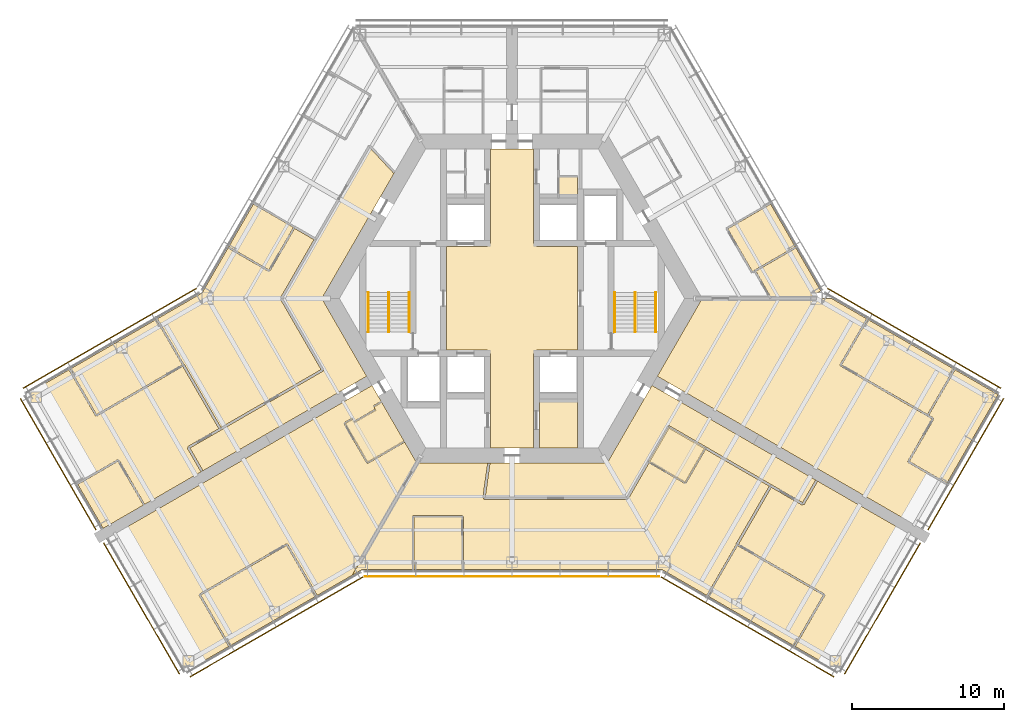
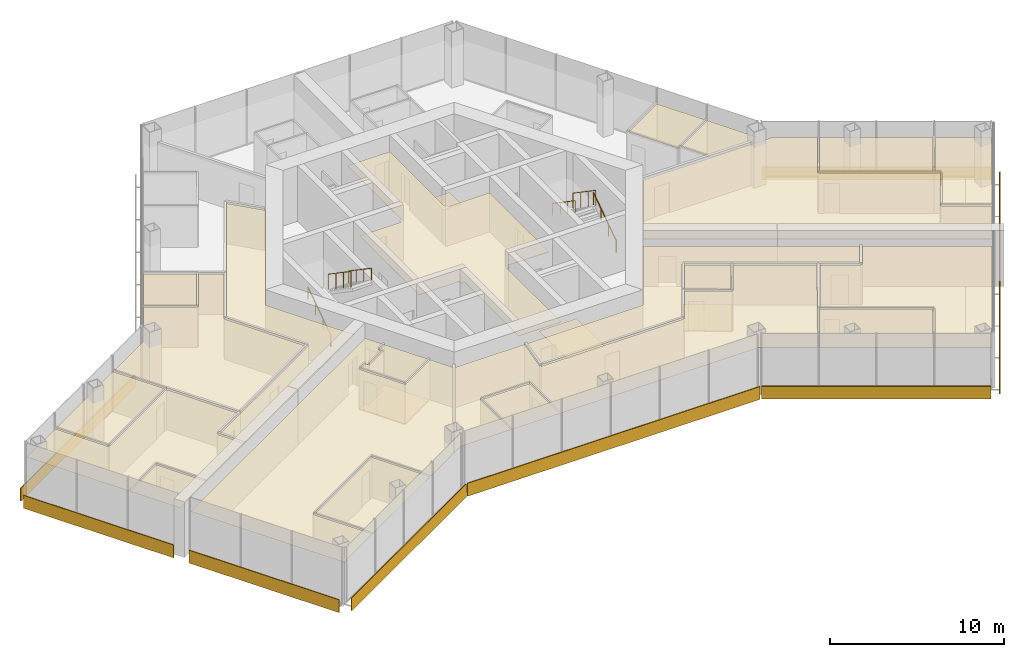
# One storey, part 17 of 18: 25 coverings, 9 shading devices, 6 railings.
"""IFC4 building model written with IfcOpenShell, lengths in metres."""

from ifc_helpers import new_model, si_unit, direction, frame, origin, origin_2d, place, context, subcontext, project, spatial, polyline, rectangle, circle, outline, extrude, material, layer, layer_set, type_object, element, save


model = new_model("IFC4")

# Units and contexts
model_context = context("Model", 3, precision=1e-05, world=origin(), true_north=direction((0.0, 1.0)))
body_context = subcontext(model_context, "Body", "Model", "MODEL_VIEW")
ifc_project = project(units=[si_unit("LENGTHUNIT", "METRE"), si_unit("AREAUNIT", "SQUARE_METRE"), si_unit("VOLUMEUNIT", "CUBIC_METRE"), si_unit("PLANEANGLEUNIT", "RADIAN"), si_unit("MASSUNIT", "GRAM", prefix="KILO")], contexts=[model_context])

# Site, building, storey
site_placement = place(None, origin())
site = spatial("IfcSite", under=ifc_project, at=site_placement, CompositionType="ELEMENT")
building_placement = place(site_placement, origin())
building = spatial("IfcBuilding", under=site, at=building_placement, Name="Kasaneha Research Tower", CompositionType="ELEMENT")
storey_placement = place(building_placement, frame((0.0, 0.0, 140.89990234375)))
storey = spatial("IfcBuildingStorey", under=building, at=storey_placement, Name="L35", CompositionType="ELEMENT", Elevation=140.89990234375)

# Covering
ifc_material_1 = material(Name="Aluminium panel ceiling", Category="aluminium")
ifc_layer_1 = layer(ifc_material_1, 0.0400390625)
ifc_layer_set_1 = layer_set([ifc_layer_1], Name="Lift lobby ceiling 40")
covering_type_1 = type_object("IfcCoveringType", Name="Lift lobby ceiling 40", PredefinedType="CEILING", material=ifc_layer_set_1)
covering_1_placement = place(storey_placement, frame((0.0, 0.0, 2.7001953125)))
element("IfcCovering", 1, at=covering_1_placement, inside=storey, type_object=covering_type_1, Name="Ceiling L35-01", PredefinedType="CEILING", context=body_context, shape_type="SweptSolid", body=[
    extrude(outline(polyline([(1.39990234375, 9.824951171875), (1.39990234375, 3.60009765625), (1.60009765625, 3.60009765625), (1.60009765625, 3.39990234375), (4.300048828125, 3.39990234375), (4.300048828125, -3.39990234375), (1.60009765625, -3.39990234375), (1.60009765625, -3.60009765625), (1.39990234375, -3.60009765625), (1.39990234375, -9.824951171875), (-1.39990234375, -9.824951171875), (-1.39990234375, -3.60009765625), (-1.60009765625, -3.60009765625), (-1.60009765625, -3.39990234375), (-4.300048828125, -3.39990234375), (-4.300048828125, 3.39990234375), (-1.60009765625, 3.39990234375), (-1.60009765625, 3.60009765625), (-1.39990234375, 3.60009765625), (-1.39990234375, 9.824951171875), (1.39990234375, 9.824951171875)])), origin(), (0.0, 0.0, 1.0), 0.039794921875),
])

# Railings
ifc_material_2 = material(Name="Steel", Category="steel")
railing_type_1 = type_object("IfcRailingType", Name="Stair balustrade 1100", PredefinedType="GUARDRAIL", material=ifc_material_2)
for number, where, name in (
    (2, (8.10009765625, 0.39990234375, 2.12744140625), "Stair 1 balustrade L35"),
    (3, (-8.10009765625, 0.39990234375, 2.12744140625), "Stair 2 balustrade L35"),
):
    element("IfcRailing", number, at=place(storey_placement, frame(where)), inside=storey, type_object=railing_type_1, Name=name, PredefinedType="GUARDRAIL", context=body_context, shape_type="SweptSolid", body=[
        extrude(circle(Radius=0.02392578125, at=origin_2d()), frame((0.0, 0.0, 1.076171875), z_axis=(0.0, -0.826215852431, 0.563353676824), x_axis=(1.0, 0.0, 0.0)), (0.0, 0.0, 1.0), 3.146728515625),
        extrude(circle(Radius=0.02099609375, at=origin_2d()), origin(), (0.0, 0.0, 1.0), 1.052001953125),
        extrude(circle(Radius=0.02099609375, at=origin_2d()), frame((0.0, -0.86669921875, 0.5908203125)), (0.0, 0.0, 1.0), 1.052001953125),
        extrude(circle(Radius=0.02099609375, at=origin_2d()), frame((0.0, -1.733154296875, 1.181884765625)), (0.0, 0.0, 1.0), 1.052001953125),
        extrude(circle(Radius=0.02099609375, at=origin_2d()), frame((0.0, -2.599853515625, 1.772705078125)), (0.0, 0.0, 1.0), 1.052001953125),
    ])
ifc_material_3 = material(Name="Steel", Category="steel")
railing_type_2 = type_object("IfcRailingType", Name="Stair handrail 850", PredefinedType="HANDRAIL", material=ifc_material_3)
railing_1_placement = place(storey_placement, frame((9.449951171875, -2.199951171875, 0.177490234375)))
element("IfcRailing", 4, at=railing_1_placement, inside=storey, type_object=railing_type_2, Name="Stair 1 handrail L35", PredefinedType="HANDRAIL", context=body_context, shape_type="SweptSolid", body=[
    extrude(circle(Radius=0.02392578125, at=origin_2d()), frame((0.0, 0.0, 0.826171875), z_axis=(0.0, 0.826215852431, 0.563353676824), x_axis=(-1.0, 0.0, 0.0)), (0.0, 0.0, 1.0), 3.146728515625),
    extrude(circle(Radius=0.02099609375, at=origin_2d()), origin(), (0.0, 0.0, 1.0), 0.802001953125),
    extrude(circle(Radius=0.02099609375, at=origin_2d()), frame((0.0, 0.86669921875, 0.5908203125)), (0.0, 0.0, 1.0), 0.802001953125),
    extrude(circle(Radius=0.02099609375, at=origin_2d()), frame((0.0, 1.733154296875, 1.181884765625)), (0.0, 0.0, 1.0), 0.802001953125),
    extrude(circle(Radius=0.02099609375, at=origin_2d()), frame((0.0, 2.599853515625, 1.772705078125)), (0.0, 0.0, 1.0), 0.802001953125),
])
railing_2_placement = place(storey_placement, frame((6.75, 0.39990234375, 2.12744140625)))
element("IfcRailing", 5, at=railing_2_placement, inside=storey, type_object=railing_type_2, Name="Stair 1 handrail L35", PredefinedType="HANDRAIL", context=body_context, shape_type="SweptSolid", body=[
    extrude(circle(Radius=0.02392578125, at=origin_2d()), frame((0.0, 0.0, 0.826171875), z_axis=(0.0, -0.826215852431, 0.563353676824), x_axis=(1.0, 0.0, 0.0)), (0.0, 0.0, 1.0), 3.146728515625),
    extrude(circle(Radius=0.02099609375, at=origin_2d()), origin(), (0.0, 0.0, 1.0), 0.802001953125),
    extrude(circle(Radius=0.02099609375, at=origin_2d()), frame((0.0, -0.86669921875, 0.5908203125)), (0.0, 0.0, 1.0), 0.802001953125),
    extrude(circle(Radius=0.02099609375, at=origin_2d()), frame((0.0, -1.733154296875, 1.181884765625)), (0.0, 0.0, 1.0), 0.802001953125),
    extrude(circle(Radius=0.02099609375, at=origin_2d()), frame((0.0, -2.599853515625, 1.772705078125)), (0.0, 0.0, 1.0), 0.802001953125),
])
railing_3_placement = place(storey_placement, frame((-9.449951171875, -2.199951171875, 0.177490234375)))
element("IfcRailing", 6, at=railing_3_placement, inside=storey, type_object=railing_type_2, Name="Stair 2 handrail L35", PredefinedType="HANDRAIL", context=body_context, shape_type="SweptSolid", body=[
    extrude(circle(Radius=0.02392578125, at=origin_2d()), frame((0.0, 0.0, 0.826171875), z_axis=(0.0, 0.826215852431, 0.563353676824), x_axis=(-1.0, 0.0, 0.0)), (0.0, 0.0, 1.0), 3.146728515625),
    extrude(circle(Radius=0.02099609375, at=origin_2d()), origin(), (0.0, 0.0, 1.0), 0.802001953125),
    extrude(circle(Radius=0.02099609375, at=origin_2d()), frame((0.0, 0.86669921875, 0.5908203125)), (0.0, 0.0, 1.0), 0.802001953125),
    extrude(circle(Radius=0.02099609375, at=origin_2d()), frame((0.0, 1.733154296875, 1.181884765625)), (0.0, 0.0, 1.0), 0.802001953125),
    extrude(circle(Radius=0.02099609375, at=origin_2d()), frame((0.0, 2.599853515625, 1.772705078125)), (0.0, 0.0, 1.0), 0.802001953125),
])
railing_4_placement = place(storey_placement, frame((-6.75, 0.39990234375, 2.12744140625)))
element("IfcRailing", 7, at=railing_4_placement, inside=storey, type_object=railing_type_2, Name="Stair 2 handrail L35", PredefinedType="HANDRAIL", context=body_context, shape_type="SweptSolid", body=[
    extrude(circle(Radius=0.02392578125, at=origin_2d()), frame((0.0, 0.0, 0.826171875), z_axis=(0.0, -0.826215852431, 0.563353676824), x_axis=(1.0, 0.0, 0.0)), (0.0, 0.0, 1.0), 3.146728515625),
    extrude(circle(Radius=0.02099609375, at=origin_2d()), origin(), (0.0, 0.0, 1.0), 0.802001953125),
    extrude(circle(Radius=0.02099609375, at=origin_2d()), frame((0.0, -0.86669921875, 0.5908203125)), (0.0, 0.0, 1.0), 0.802001953125),
    extrude(circle(Radius=0.02099609375, at=origin_2d()), frame((0.0, -1.733154296875, 1.181884765625)), (0.0, 0.0, 1.0), 0.802001953125),
    extrude(circle(Radius=0.02099609375, at=origin_2d()), frame((0.0, -2.599853515625, 1.772705078125)), (0.0, 0.0, 1.0), 0.802001953125),
])

# Coverings
ifc_material_4 = material(Name="Gypsum ceiling board", Category="gypsum")
ifc_layer_2 = layer(ifc_material_4, 0.02001953125)
ifc_layer_set_2 = layer_set([ifc_layer_2], Name="Suspended ceiling 20")
covering_type_2 = type_object("IfcCoveringType", Name="Suspended ceiling 20", PredefinedType="CEILING", material=ifc_layer_set_2)
covering_2_placement = place(storey_placement, frame((0.0, 0.0, 2.800048828125)))
element("IfcCovering", 8, at=covering_2_placement, inside=storey, type_object=covering_type_2, Name="Ceiling L35-29", PredefinedType="CEILING", context=body_context, shape_type="SweptSolid", body=[
    extrude(outline(polyline([(18.63720703125, 3.360595703125), (18.619873046875, 3.3505859375), (18.5947265625, 3.393798828125), (15.923095703125, 1.851318359375), (15.947998046875, 1.80810546875), (15.9306640625, 1.7978515625), (15.9130859375, 1.787841796875), (15.9130859375, 1.787841796875), (15.822509765625, 1.735595703125), (14.18212890625, 4.576904296875), (16.99658203125, 6.201904296875), (18.63720703125, 3.360595703125)])), origin(), (0.0, 0.0, 1.0), 0.02001953125),
])
covering_3_placement = place(storey_placement, frame((0.0, 0.0, 2.800048828125)))
element("IfcCovering", 9, at=covering_3_placement, inside=storey, type_object=covering_type_2, Name="Ceiling L35-30", PredefinedType="CEILING", context=body_context, shape_type="SweptSolid", body=[
    extrude(outline(polyline([(16.997802734375, 0.0), (16.986328125, 0.02001953125), (17.029541015625, 0.044921875), (16.024658203125, 1.79443359375), (18.644775390625, 3.30712890625), (18.619873046875, 3.3505859375), (18.63720703125, 3.360595703125), (20.28759765625, 0.501708984375), (19.41845703125, 0.0), (16.997802734375, 0.0)])), origin(), (0.0, 0.0, 1.0), 0.02001953125),
])
covering_4_placement = place(storey_placement, frame((0.0, 0.0, 2.800048828125)))
element("IfcCovering", 10, at=covering_4_placement, inside=storey, type_object=covering_type_2, Name="Ceiling L35-35", PredefinedType="CEILING", context=body_context, shape_type="SweptSolid", body=[
    extrude(outline(polyline([(-9.5498046875, -5.109375), (-10.3291015625, -5.559326171875), (-10.3291015625, -5.559326171875), (-20.37109375, -11.357177734375), (-20.381103515625, -11.33984375), (-20.316162109375, -11.30224609375), (-21.168701171875, -9.82568359375), (-19.134033203125, -8.651123046875), (-19.134033203125, -8.651123046875), (-12.404052734375, -4.765380859375), (-12.441650390625, -4.700439453125), (-12.376708984375, -4.6630859375), (-15.06884765625, 0.0), (-12.8427734375, 3.855712890625), (-12.8427734375, 3.855712890625), (-9.345947265625, 9.912353515625), (-7.7890625, 8.24267578125), (-7.734130859375, 8.2939453125), (-7.719970703125, 8.278564453125), (-12.49951171875, 0.0), (-9.5498046875, -5.109375)])), origin(), (0.0, 0.0, 1.0), 0.02001953125),
])
covering_5_placement = place(storey_placement, frame((0.0, 0.0, 2.800048828125)))
element("IfcCovering", 11, at=covering_5_placement, inside=storey, type_object=covering_type_2, Name="Ceiling L35-36", PredefinedType="CEILING", context=body_context, shape_type="SweptSolid", body=[
    extrude(outline(polyline([(-23.34228515625, -1.352294921875), (-23.332275390625, -1.36962890625), (-23.37548828125, -1.39453125), (-21.666748046875, -4.363525390625), (-27.306640625, -7.624755859375), (-29.03173828125, -4.636962890625), (-23.34228515625, -1.352294921875)])), origin(), (0.0, 0.0, 1.0), 0.02001953125),
])
covering_6_placement = place(storey_placement, frame((0.0, 0.0, 2.800048828125)))
element("IfcCovering", 12, at=covering_6_placement, inside=storey, type_object=covering_type_2, Name="Ceiling L35-38", PredefinedType="CEILING", context=body_context, shape_type="SweptSolid", body=[
    extrude(outline(polyline([(-16.99658203125, 6.201904296875), (-14.361572265625, 4.675048828125), (-15.970947265625, 1.87890625), (-18.5947265625, 3.393798828125), (-18.619873046875, 3.3505859375), (-18.63720703125, 3.360595703125), (-16.99658203125, 6.201904296875)])), origin(), (0.0, 0.0, 1.0), 0.02001953125),
])
covering_7_placement = place(storey_placement, frame((0.0, 0.0, 2.800048828125)))
element("IfcCovering", 13, at=covering_7_placement, inside=storey, type_object=covering_type_2, Name="Ceiling L35-39", PredefinedType="CEILING", context=body_context, shape_type="SweptSolid", body=[
    extrude(outline(polyline([(-28.532958984375, -12.220458984375), (-25.8916015625, -10.6953125), (-24.235107421875, -13.564697265625), (-24.191650390625, -13.539794921875), (-24.181640625, -13.55712890625), (-26.866455078125, -15.107177734375), (-28.532958984375, -12.220458984375)])), origin(), (0.0, 0.0, 1.0), 0.02001953125),
])
covering_8_placement = place(storey_placement, frame((0.0, 0.0, 2.800048828125)))
element("IfcCovering", 14, at=covering_8_placement, inside=storey, type_object=covering_type_2, Name="Ceiling L35-40", PredefinedType="CEILING", context=body_context, shape_type="SweptSolid", body=[
    extrude(outline(polyline([(-15.15576171875, -0.000244140625), (-15.220458984375, -0.03759765625), (-12.5439453125, -4.673095703125), (-19.135498046875, -8.478759765625), (-21.529296875, -4.341796875), (-21.55517578125, -4.356689453125), (-23.288818359375, -1.3447265625), (-23.331787109375, -1.369384765625), (-23.341796875, -1.35205078125), (-20.365966796875, 0.365966796875), (-18.637451171875, 3.360107421875), (-18.6201171875, 3.35009765625), (-18.644775390625, 3.30712890625), (-15.9775390625, 1.76708984375), (-15.95263671875, 1.81005859375), (-15.952392578125, 1.81005859375), (-15.9521484375, 1.810302734375), (-15.9091796875, 1.78564453125), (-14.287353515625, 4.603271484375), (-13.01025390625, 3.86572265625), (-15.220458984375, 0.03759765625), (-15.15576171875, 0.000244140625), (-15.156005859375, 0.0), (-15.15576171875, -0.000244140625)])), origin(), (0.0, 0.0, 1.0), 0.02001953125),
])
covering_9_placement = place(storey_placement, frame((0.0, 0.0, 2.800048828125)))
element("IfcCovering", 15, at=covering_9_placement, inside=storey, type_object=covering_type_2, Name="Ceiling L35-41", PredefinedType="CEILING", context=body_context, shape_type="SweptSolid", body=[
    extrude(outline(polyline([(-21.271484375, -9.79833984375), (-21.336181640625, -9.835693359375), (-20.446044921875, -11.377197265625), (-20.381591796875, -11.340087890625), (-20.37158203125, -11.357421875), (-23.14501953125, -12.958740234375), (-24.18115234375, -13.556884765625), (-24.191162109375, -13.53955078125), (-24.1484375, -13.514892578125), (-25.830078125, -10.60205078125), (-25.873046875, -10.626953125), (-25.873291015625, -10.626708984375), (-25.87353515625, -10.626708984375), (-25.898193359375, -10.583740234375), (-28.5830078125, -12.1337890625), (-31.94140625, -6.31689453125), (-29.1181640625, -4.68701171875), (-27.368408203125, -7.71826171875), (-27.3251953125, -7.693359375), (-27.324951171875, -7.693603515625), (-27.32470703125, -7.693603515625), (-27.300048828125, -7.736572265625), (-21.634033203125, -4.460205078125), (-19.265380859375, -8.5537109375), (-21.30859375, -9.7333984375), (-21.271484375, -9.798095703125), (-21.271728515625, -9.798095703125), (-21.271484375, -9.79833984375)])), origin(), (0.0, 0.0, 1.0), 0.02001953125),
])
covering_10_placement = place(storey_placement, frame((0.0, 0.0, 2.800048828125)))
element("IfcCovering", 16, at=covering_10_placement, inside=storey, type_object=covering_type_2, Name="Ceiling L35-43", PredefinedType="CEILING", context=body_context, shape_type="SweptSolid", body=[
    extrude(outline(polyline([(-18.574951171875, -22.8486328125), (-18.5849609375, -22.831298828125), (-18.541748046875, -22.806396484375), (-20.456787109375, -19.489501953125), (-14.810546875, -16.2294921875), (-12.885498046875, -19.563720703125), (-18.574951171875, -22.8486328125)])), origin(), (0.0, 0.0, 1.0), 0.02001953125),
])
covering_11_placement = place(storey_placement, frame((0.0, 0.0, 2.800048828125)))
element("IfcCovering", 17, at=covering_11_placement, inside=storey, type_object=covering_type_2, Name="Ceiling L35-44", PredefinedType="CEILING", context=body_context, shape_type="SweptSolid", body=[
    extrude(outline(polyline([(-10.35498046875, -8.11474609375), (-10.35498046875, -8.11474609375), (-10.330078125, -8.157958984375), (-8.9443359375, -7.35791015625), (-8.994384765625, -7.271240234375), (-8.994384765625, -7.271240234375), (-9.09423828125, -7.09814453125), (-9.09423828125, -7.09814453125), (-9.0693359375, -7.141357421875), (-8.56689453125, -6.851318359375), (-8.592041015625, -6.80810546875), (-8.57470703125, -6.798095703125), (-7.07470703125, -9.396240234375), (-7.092041015625, -9.40625), (-7.116943359375, -9.36279296875), (-9.481201171875, -10.727783203125), (-10.931396484375, -8.21630859375), (-10.455078125, -7.94140625), (-10.35498046875, -8.11474609375)])), origin(), (0.0, 0.0, 1.0), 0.02001953125),
])
covering_12_placement = place(storey_placement, frame((0.0, 0.0, 2.800048828125)))
element("IfcCovering", 18, at=covering_12_placement, inside=storey, type_object=covering_type_2, Name="Ceiling L35-45", PredefinedType="CEILING", context=body_context, shape_type="SweptSolid", body=[
    extrude(outline(polyline([(-9.979248046875, -6.16552734375), (-9.979248046875, -6.16552734375), (-9.19970703125, -5.715576171875), (-8.574951171875, -6.797607421875), (-8.59228515625, -6.8076171875), (-8.616943359375, -6.764892578125), (-9.119384765625, -7.0546875), (-9.094482421875, -7.09765625), (-9.0947265625, -7.097900390625), (-8.99462890625, -7.271484375), (-10.379638671875, -8.071044921875), (-10.47998046875, -7.897705078125), (-10.480224609375, -7.897705078125), (-10.5048828125, -7.854736328125), (-11.024658203125, -8.15478515625), (-10.999755859375, -8.19775390625), (-11.0, -8.197998046875), (-11.0, -8.1982421875), (-11.04296875, -8.22314453125), (-9.54296875, -10.8212890625), (-9.5, -10.79638671875), (-9.5, -10.796630859375), (-9.49951171875, -10.79638671875), (-9.474609375, -10.839599609375), (-7.06689453125, -9.449462890625), (-7.091796875, -9.40673828125), (-7.074462890625, -9.396728515625), (-6.249755859375, -10.824951171875), (-10.5, -18.1865234375), (-12.798828125, -19.513916015625), (-14.748779296875, -16.13623046875), (-14.792236328125, -16.161376953125), (-14.817138671875, -16.117919921875), (-20.550048828125, -19.427734375), (-20.525146484375, -19.470703125), (-20.525390625, -19.470703125), (-20.525146484375, -19.47119140625), (-20.568359375, -19.49609375), (-18.62841796875, -22.856201171875), (-18.58544921875, -22.83154296875), (-18.575439453125, -22.848876953125), (-21.44140625, -24.50341796875), (-26.516357421875, -15.71337890625), (-10.84521484375, -6.66552734375), (-10.84521484375, -6.66552734375), (-9.979248046875, -6.16552734375)])), origin(), (0.0, 0.0, 1.0), 0.02001953125),
])
covering_13_placement = place(storey_placement, frame((0.0, 0.0, 2.800048828125)))
element("IfcCovering", 19, at=covering_13_placement, inside=storey, type_object=covering_type_2, Name="Ceiling L35-46", PredefinedType="CEILING", context=body_context, shape_type="SweptSolid", body=[
    extrude(outline(polyline([(29.03173828125, -4.63720703125), (27.303955078125, -7.61865234375), (21.660400390625, -4.364990234375), (23.37548828125, -1.39453125), (23.332275390625, -1.36962890625), (23.34228515625, -1.352294921875), (29.03173828125, -4.63720703125)])), origin(), (0.0, 0.0, 1.0), 0.02001953125),
])
covering_14_placement = place(storey_placement, frame((0.0, 0.0, 2.800048828125)))
element("IfcCovering", 20, at=covering_14_placement, inside=storey, type_object=covering_type_2, Name="Ceiling L35-47", PredefinedType="CEILING", context=body_context, shape_type="SweptSolid", body=[
    extrude(outline(polyline([(31.941650390625, -6.316650390625), (28.5830078125, -12.1337890625), (26.11474609375, -10.708740234375), (27.721923828125, -7.92333984375), (27.678466796875, -7.8984375), (27.7041015625, -7.85546875), (27.390380859375, -7.669189453125), (29.118408203125, -4.68701171875), (31.941650390625, -6.316650390625)])), origin(), (0.0, 0.0, 1.0), 0.02001953125),
])
covering_15_placement = place(storey_placement, frame((0.0, 0.0, 2.800048828125)))
element("IfcCovering", 21, at=covering_15_placement, inside=storey, type_object=covering_type_2, Name="Ceiling L35-48", PredefinedType="CEILING", context=body_context, shape_type="SweptSolid", body=[
    extrude(outline(polyline([(9.5498046875, -5.109375), (12.49951171875, 0.0), (16.93994140625, 0.0), (16.94287109375, -0.0048828125), (16.951416015625, 0.0), (21.0, 0.0), (23.341796875, -1.35205078125), (23.331787109375, -1.369384765625), (23.288818359375, -1.344482421875), (21.548828125, -4.3583984375), (21.592041015625, -4.38330078125), (21.591796875, -4.383544921875), (21.592041015625, -4.3837890625), (21.567138671875, -4.4267578125), (27.302001953125, -7.73291015625), (27.302001953125, -7.73291015625), (27.610595703125, -7.916259765625), (26.003173828125, -10.7021484375), (26.046142578125, -10.726806640625), (26.046142578125, -10.72705078125), (26.04638671875, -10.727294921875), (26.021484375, -10.7705078125), (28.532958984375, -12.220458984375), (26.866455078125, -15.107177734375), (14.286376953125, -7.843994140625), (10.3291015625, -5.559326171875), (10.3291015625, -5.559326171875), (9.5498046875, -5.109375)])), origin(), (0.0, 0.0, 1.0), 0.02001953125),
])
covering_16_placement = place(storey_placement, frame((0.0, 0.0, 2.800048828125)))
element("IfcCovering", 22, at=covering_16_placement, inside=storey, type_object=covering_type_2, Name="Ceiling L35-49", PredefinedType="CEILING", context=body_context, shape_type="SweptSolid", body=[
    extrude(outline(polyline([(10.29150390625, -8.424560546875), (10.2265625, -8.386962890625), (8.90380859375, -10.677978515625), (8.90380859375, -10.677978515625), (7.534423828125, -13.050048828125), (-1.75830078125, -13.050048828125), (-1.449951171875, -10.85546875), (-1.524169921875, -10.844970703125), (-1.521240234375, -10.824951171875), (6.249755859375, -10.824951171875), (9.19970703125, -5.715576171875), (9.979248046875, -6.16552734375), (9.979248046875, -6.16552734375), (10.84521484375, -6.66552734375), (10.84521484375, -6.66552734375), (20.021240234375, -11.96337890625), (20.01123046875, -11.980712890625), (19.9462890625, -11.943115234375), (19.09375, -13.419677734375), (17.05029296875, -12.239990234375), (17.05029296875, -12.239990234375), (12.75, -9.75732421875), (12.75, -9.75732421875), (10.3291015625, -8.359619140625), (10.29150390625, -8.424560546875), (10.29150390625, -8.424560546875), (10.29150390625, -8.424560546875)])), origin(), (0.0, 0.0, 1.0), 0.02001953125),
])
covering_17_placement = place(storey_placement, frame((0.0, 0.0, 2.800048828125)))
element("IfcCovering", 23, at=covering_17_placement, inside=storey, type_object=covering_type_2, Name="Ceiling L35-50", PredefinedType="CEILING", context=body_context, shape_type="SweptSolid", body=[
    extrude(outline(polyline([(10.319091796875, -8.52685546875), (12.6318359375, -9.8623046875), (11.373291015625, -12.051025390625), (9.058837890625, -10.7099609375), (10.319091796875, -8.52685546875)])), origin(), (0.0, 0.0, 1.0), 0.02001953125),
])
covering_18_placement = place(storey_placement, frame((0.0, 0.0, 2.800048828125)))
element("IfcCovering", 24, at=covering_18_placement, inside=storey, type_object=covering_type_2, Name="Ceiling L35-51", PredefinedType="CEILING", context=body_context, shape_type="SweptSolid", body=[
    extrude(outline(polyline([(-6.492919921875, -17.820556640625), (-6.492919921875, -17.800537109375), (-6.44287109375, -17.800537109375), (-6.44287109375, -14.37060546875), (-3.29638671875, -14.37060546875), (-3.29638671875, -17.800537109375), (-3.246337890625, -17.800537109375), (-3.246337890625, -17.820556640625), (-6.492919921875, -17.820556640625)])), origin(), (0.0, 0.0, 1.0), 0.02001953125),
])
covering_19_placement = place(storey_placement, frame((0.0, 0.0, 2.800048828125)))
element("IfcCovering", 25, at=covering_19_placement, inside=storey, type_object=covering_type_2, Name="Ceiling L35-52", PredefinedType="CEILING", context=body_context, shape_type="SweptSolid", body=[
    extrude(outline(polyline([(12.885498046875, -19.563720703125), (14.812255859375, -16.23583984375), (20.456787109375, -19.489501953125), (18.541748046875, -22.806396484375), (18.5849609375, -22.831298828125), (18.574951171875, -22.8486328125), (12.885498046875, -19.563720703125)])), origin(), (0.0, 0.0, 1.0), 0.02001953125),
])
covering_20_placement = place(storey_placement, frame((0.0, 0.0, 2.800048828125)))
element("IfcCovering", 26, at=covering_20_placement, inside=storey, type_object=covering_type_2, Name="Ceiling L35-53", PredefinedType="CEILING", context=body_context, shape_type="SweptSolid", body=[
    extrude(outline(polyline([(-3.246337890625, -14.320068359375), (-3.246337890625, -14.2705078125), (-6.492919921875, -14.2705078125), (-6.492919921875, -14.320068359375), (-6.492919921875, -14.320068359375), (-6.492919921875, -14.320556640625), (-6.542724609375, -14.320556640625), (-6.542724609375, -17.800537109375), (-6.493408203125, -17.800537109375), (-6.493408203125, -17.820556640625), (-9.865966796875, -17.820556640625), (-10.5, -18.1865234375), (-6.249755859375, -10.824951171875), (-1.52197265625, -10.824951171875), (-1.524658203125, -10.844970703125), (-1.598388671875, -10.83447265625), (-1.9189453125, -13.114501953125), (-1.8447265625, -13.125), (-1.8447265625, -13.12548828125), (-1.844482421875, -13.12548828125), (-1.844482421875, -13.199951171875), (7.57763671875, -13.199951171875), (7.57763671875, -13.12548828125), (7.577880859375, -13.12548828125), (7.577880859375, -13.125244140625), (7.642578125, -13.16259765625), (9.0087890625, -10.79638671875), (11.366455078125, -12.16259765625), (11.391357421875, -12.11962890625), (11.3916015625, -12.119873046875), (11.391845703125, -12.11962890625), (11.434814453125, -12.144287109375), (12.718505859375, -9.912109375), (16.910400390625, -12.33251953125), (14.724609375, -16.127685546875), (14.750732421875, -16.142578125), (12.798828125, -19.513916015625), (9.865966796875, -17.820556640625), (-3.245849609375, -17.820556640625), (-3.245849609375, -17.800537109375), (-3.1962890625, -17.800537109375), (-3.1962890625, -14.320556640625), (-3.24609375, -14.320556640625), (-3.24609375, -14.320068359375), (-3.246337890625, -14.320068359375)])), origin(), (0.0, 0.0, 1.0), 0.02001953125),
])
covering_21_placement = place(storey_placement, frame((0.0, 0.0, 2.800048828125)))
element("IfcCovering", 27, at=covering_21_placement, inside=storey, type_object=covering_type_2, Name="Ceiling L35-54", PredefinedType="CEILING", context=body_context, shape_type="SweptSolid", body=[
    extrude(outline(polyline([(19.121337890625, -13.522216796875), (19.18603515625, -13.559814453125), (20.076171875, -12.018310546875), (20.011474609375, -11.98095703125), (20.021484375, -11.963623046875), (26.516357421875, -15.71337890625), (21.44140625, -24.50341796875), (18.575439453125, -22.848876953125), (18.58544921875, -22.83154296875), (18.62841796875, -22.856201171875), (20.568359375, -19.49609375), (20.525146484375, -19.47119140625), (20.525390625, -19.470703125), (20.525146484375, -19.470703125), (20.550048828125, -19.427734375), (14.879638671875, -16.1591796875), (17.040283203125, -12.407470703125), (19.083740234375, -13.587158203125), (19.12109375, -13.522705078125), (19.12109375, -13.522705078125), (19.121337890625, -13.522216796875)])), origin(), (0.0, 0.0, 1.0), 0.02001953125),
])

# Shading devices
ifc_material_5 = material(Name="Terracotta", Category="masonry")
ifc_layer_3 = layer(ifc_material_5, 0.06005859375)
ifc_layer_set_3 = layer_set([ifc_layer_3], Name="Terracotta baguette screen")
shading_device_type = type_object("IfcShadingDeviceType", Name="Terracotta baguette screen", PredefinedType="USERDEFINED", material=ifc_layer_set_3)
shading_device_1_placement = place(storey_placement, frame((0.0, -18.2705078125, -0.449951171875), z_axis=(0.0, 0.0, 1.0), x_axis=(1.0, 0.0, 0.0)))
element("IfcShadingDevice", 28, at=shading_device_1_placement, inside=storey, type_object=shading_device_type, Name="Baguette screen L35 01", ObjectType="TERRACOTTA BAGUETTE SCREEN", PredefinedType="USERDEFINED", context=body_context, shape_type="SweptSolid", body=[
    extrude(rectangle(XDim=19.37841796875, YDim=0.06005859375, at=origin_2d()), origin(), (0.0, 0.0, 1.0), 0.89990234375),
])
shading_device_2_placement = place(storey_placement, frame((15.483642578125, -21.58349609375, -0.449951171875), z_axis=(0.0, 0.0, 1.0), x_axis=(0.866025411464, -0.499999986699, 0.0)))
element("IfcShadingDevice", 29, at=shading_device_2_placement, inside=storey, type_object=shading_device_type, Name="Baguette screen L35 02", ObjectType="TERRACOTTA BAGUETTE SCREEN", PredefinedType="USERDEFINED", context=body_context, shape_type="SweptSolid", body=[
    extrude(rectangle(XDim=13.13916015625, YDim=0.06005859375, at=origin_2d()), origin(), (0.0, 0.0, 1.0), 0.89990234375),
])
for number, where, z_axis, x_axis, name in (
    (30, (24.343505859375, -20.376708984375, -0.449951171875), (0.0, 0.0, 1.0), (0.500000011442, 0.866025397178, 0.0), "Baguette screen L35 03"),
    (31, (29.818603515625, -10.893798828125, -0.449951171875), (0.0, 0.0, 1.0), (0.500000011442, 0.866025397178, 0.0), "Baguette screen L35 04"),
):
    element("IfcShadingDevice", number, at=place(storey_placement, frame(where, z_axis=z_axis, x_axis=x_axis)), inside=storey, type_object=shading_device_type, Name=name, ObjectType="TERRACOTTA BAGUETTE SCREEN", PredefinedType="USERDEFINED", context=body_context, shape_type="SweptSolid", body=[
        extrude(rectangle(XDim=9.949951171875, YDim=0.06005859375, at=origin_2d()), origin(), (0.0, 0.0, 1.0), 0.89990234375),
    ])
for number, where, z_axis, x_axis, name in (
    (32, (26.43359375, -2.617431640625, -0.449951171875), (0.0, 0.0, 1.0), (-0.866025411464, 0.499999986699, 0.0), "Baguette screen L35 05"),
    (33, (-26.43359375, -2.617431640625, -0.449951171875), (0.0, 0.0, 1.0), (-0.866025411464, -0.499999986699, 0.0), "Baguette screen L35 09"),
):
    element("IfcShadingDevice", number, at=place(storey_placement, frame(where, z_axis=z_axis, x_axis=x_axis)), inside=storey, type_object=shading_device_type, Name=name, ObjectType="TERRACOTTA BAGUETTE SCREEN", PredefinedType="USERDEFINED", context=body_context, shape_type="SweptSolid", body=[
        extrude(rectangle(XDim=13.13916015625, YDim=0.06005859375, at=origin_2d()), origin(), (0.0, 0.0, 1.0), 0.89990234375),
    ])
for number, where, z_axis, x_axis, name in (
    (34, (-29.818603515625, -10.893798828125, -0.449951171875), (0.0, 0.0, 1.0), (0.500000011442, -0.866025397178, 0.0), "Baguette screen L35 10"),
    (35, (-24.343505859375, -20.376708984375, -0.449951171875), (0.0, 0.0, 1.0), (0.500000011442, -0.866025397178, 0.0), "Baguette screen L35 11"),
):
    element("IfcShadingDevice", number, at=place(storey_placement, frame(where, z_axis=z_axis, x_axis=x_axis)), inside=storey, type_object=shading_device_type, Name=name, ObjectType="TERRACOTTA BAGUETTE SCREEN", PredefinedType="USERDEFINED", context=body_context, shape_type="SweptSolid", body=[
        extrude(rectangle(XDim=9.949951171875, YDim=0.06005859375, at=origin_2d()), origin(), (0.0, 0.0, 1.0), 0.89990234375),
    ])
shading_device_3_placement = place(storey_placement, frame((-15.483642578125, -21.58349609375, -0.449951171875), z_axis=(0.0, 0.0, 1.0), x_axis=(0.866025411464, 0.499999986699, 0.0)))
element("IfcShadingDevice", 36, at=shading_device_3_placement, inside=storey, type_object=shading_device_type, Name="Baguette screen L35 12", ObjectType="TERRACOTTA BAGUETTE SCREEN", PredefinedType="USERDEFINED", context=body_context, shape_type="SweptSolid", body=[
    extrude(rectangle(XDim=13.13916015625, YDim=0.06005859375, at=origin_2d()), origin(), (0.0, 0.0, 1.0), 0.89990234375),
])

# Coverings
ifc_material_6 = material(Name="Vinyl sheet flooring", Category="plastic")
ifc_layer_4 = layer(ifc_material_6, 0.0048828125)
ifc_layer_set_4 = layer_set([ifc_layer_4], Name="Wet room sheet flooring 5")
covering_type_3 = type_object("IfcCoveringType", Name="Wet room sheet flooring 5", PredefinedType="FLOORING", material=ifc_layer_set_4)
covering_22_placement = place(storey_placement, origin())
element("IfcCovering", 37, at=covering_22_placement, inside=storey, type_object=covering_type_3, Name="Floor finish L35-10", PredefinedType="FLOORING", context=body_context, shape_type="SweptSolid", body=[
    extrude(outline(polyline([(3.10009765625, 6.60009765625), (3.10009765625, 7.97509765625), (4.300048828125, 7.97509765625), (4.300048828125, 7.0), (4.300048828125, 6.60009765625), (3.10009765625, 6.60009765625)])), origin(), (0.0, 0.0, 1.0), 0.005126953125),
])
covering_23_placement = place(storey_placement, origin())
element("IfcCovering", 38, at=covering_23_placement, inside=storey, type_object=covering_type_3, Name="Floor finish L35-13", PredefinedType="FLOORING", context=body_context, shape_type="SweptSolid", body=[
    extrude(outline(polyline([(1.800048828125, -9.824951171875), (1.800048828125, -6.60009765625), (4.300048828125, -6.60009765625), (4.300048828125, -9.824951171875), (1.800048828125, -9.824951171875)])), origin(), (0.0, 0.0, 1.0), 0.005126953125),
])
covering_24_placement = place(storey_placement, origin())
element("IfcCovering", 39, at=covering_24_placement, inside=storey, type_object=covering_type_3, Name="Floor finish L35-44", PredefinedType="FLOORING", context=body_context, shape_type="SweptSolid", body=[
    extrude(outline(polyline([(-10.99951171875, -8.1982421875), (-10.47998046875, -7.898193359375), (-10.35498046875, -8.11474609375), (-8.96923828125, -7.314697265625), (-9.09423828125, -7.09814453125), (-8.57470703125, -6.798095703125), (-7.07470703125, -9.396240234375), (-9.49951171875, -10.796142578125), (-10.99951171875, -8.1982421875)])), origin(), (0.0, 0.0, 1.0), 0.005126953125),
])
covering_25_placement = place(storey_placement, origin())
element("IfcCovering", 40, at=covering_25_placement, inside=storey, type_object=covering_type_3, Name="Floor finish L35-50", PredefinedType="FLOORING", context=body_context, shape_type="SweptSolid", body=[
    extrude(outline(polyline([(11.391357421875, -12.119384765625), (8.966552734375, -10.719482421875), (10.29150390625, -8.424560546875), (12.716552734375, -9.824462890625), (11.391357421875, -12.119384765625)])), origin(), (0.0, 0.0, 1.0), 0.005126953125),
])

save(model, "model.ifc")
